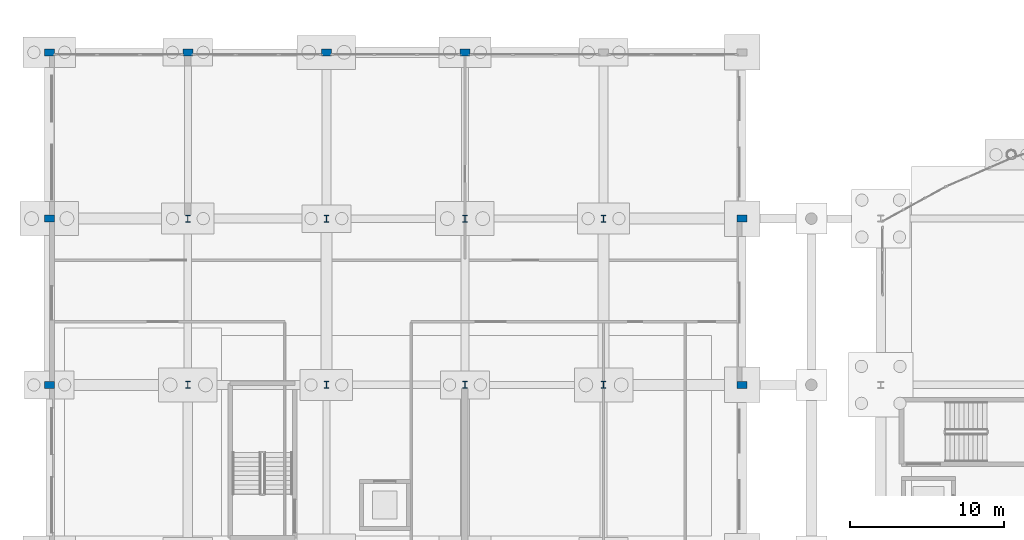
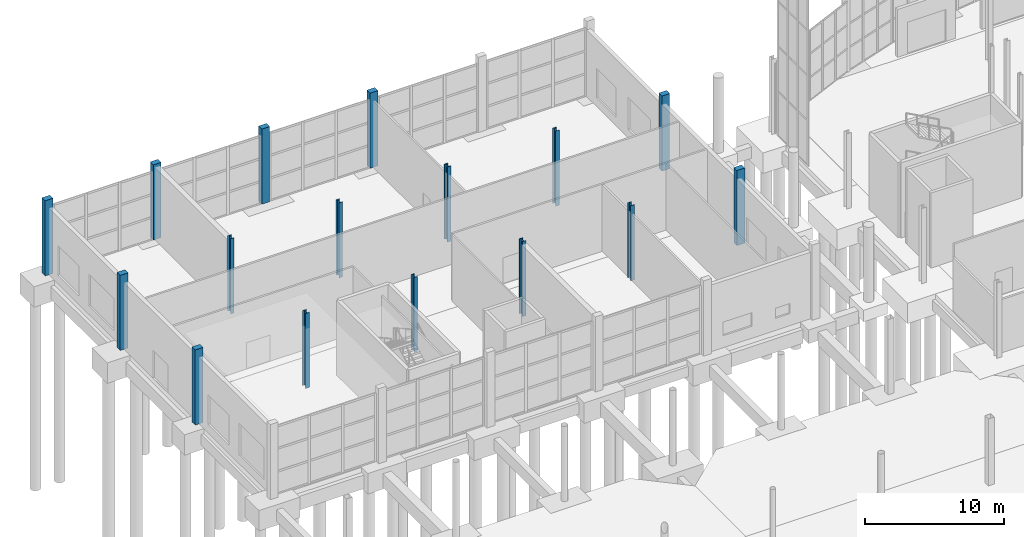
# One storey, part 19 of 115: 16 columns.
"""IFC4 building model written with IfcOpenShell, lengths in metres."""

import ifcopenshell
import ifcopenshell.guid

model = None  # the IFC model being written
_history = None  # IfcOwnerHistory: only IFC2X3 demands one
_inside = {}  # id of a spatial element -> (the spatial element, [elements in it])
_under = {}  # id of a project, library or spatial element -> (it, [spatial elements below it])
_declared = {}  # id of a project -> (the project, [libraries it declares])
_typed = {}  # id of a type object -> (the type object, [elements of that type])
_made_of = {}  # id of a material, layer set ... -> (it, [elements and type objects made of it])


def new_model(schema):
    """Start an empty IFC model of exactly this schema.

    Asked for "IFC4X3", IfcOpenShell would pick the latest addendum, in which some entities
    have other attributes; the version numbers below select the first issue.
    IFC2X3 requires an IfcOwnerHistory on every rooted entity: one is made here for all.
    """
    global model, _history
    if schema == "IFC4X3":
        model = ifcopenshell.file(schema_version=(4, 3, 0, 0))
    else:
        model = ifcopenshell.file(schema=schema)
    _inside.clear()
    _under.clear()
    _declared.clear()
    _typed.clear()
    _made_of.clear()
    _history = None
    if model.schema == "IFC2X3":
        org = make("IfcOrganization", Name="unknown")
        user = make(
            "IfcPersonAndOrganization",
            ThePerson=make("IfcPerson", FamilyName="unknown"),
            TheOrganization=org,
        )
        app = make(
            "IfcApplication",
            ApplicationDeveloper=org,
            Version="unknown",
            ApplicationFullName="unknown",
            ApplicationIdentifier="unknown",
        )
        _history = make(
            "IfcOwnerHistory",
            OwningUser=user,
            OwningApplication=app,
            ChangeAction="ADDED",
            CreationDate=0,
        )
    return model


def make(cls, **values):
    """One entity of the class cls with the attributes given. An attribute that is None is left unset."""
    return model.create_entity(
        cls, **{name: value for name, value in values.items() if value is not None}
    )


def rooted(cls, **values):
    """An entity with a GlobalId (a new one), such as an element, a storey or a relation."""
    return make(cls, GlobalId=ifcopenshell.guid.new(), OwnerHistory=_history, **values)


def si_unit(unit_type, name, prefix=None):
    """IfcSIUnit, for example si_unit("LENGTHUNIT", "METRE", prefix="MILLI")."""
    return make("IfcSIUnit", UnitType=unit_type, Prefix=prefix, Name=name)


def assignment(units):
    """IfcUnitAssignment: the units of a project."""
    return None if units is None else make("IfcUnitAssignment", Units=units)


def point(xyz):
    """IfcCartesianPoint."""
    return None if xyz is None else make("IfcCartesianPoint", Coordinates=xyz)


def direction(xyz):
    """IfcDirection."""
    return None if xyz is None else make("IfcDirection", DirectionRatios=xyz)


def frame(location, z_axis=None, x_axis=None):
    """IfcAxis2Placement3D, a coordinate frame: its origin and axes. An axis left out is left unset."""
    return make(
        "IfcAxis2Placement3D",
        Location=point(location),
        Axis=direction(z_axis),
        RefDirection=direction(x_axis),
    )


def frame_2d(location, x_axis=None):
    """IfcAxis2Placement2D, a coordinate frame in the plane: its origin and x axis."""
    return make(
        "IfcAxis2Placement2D", Location=point(location), RefDirection=direction(x_axis)
    )


def origin():
    """The frame at (0, 0, 0) with its axes left unset."""
    return frame((0.0, 0.0, 0.0))


def origin_2d():
    """The frame at (0, 0) in the plane with its x axis left unset."""
    return frame_2d((0.0, 0.0))


def place(relative_to, where):
    """IfcLocalPlacement: puts the frame where relative to a parent placement (None: the world)."""
    return make(
        "IfcLocalPlacement", PlacementRelTo=relative_to, RelativePlacement=where
    )


def context(
    kind, dimensions, precision=None, world=None, true_north=None, identifier=None
):
    """IfcGeometricRepresentationContext, for example the 3D "Model" context."""
    return make(
        "IfcGeometricRepresentationContext",
        ContextIdentifier=identifier,
        ContextType=kind,
        CoordinateSpaceDimension=dimensions,
        Precision=precision,
        WorldCoordinateSystem=world,
        TrueNorth=true_north,
    )


def subcontext(parent, identifier, kind, view, scale=None):
    """IfcGeometricRepresentationSubContext, for example "Body" below "Model"."""
    return make(
        "IfcGeometricRepresentationSubContext",
        ContextIdentifier=identifier,
        ContextType=kind,
        ParentContext=parent,
        TargetScale=scale,
        TargetView=view,
    )


def project(units=None, contexts=None):
    """IfcProject with its units and contexts."""
    return rooted(
        "IfcProject",
        Name="project",
        RepresentationContexts=contexts,
        UnitsInContext=assignment(units),
    )


def spatial(cls, under=None, at=None, **own):
    """A site, building, storey or space (cls), placed at a placement, below another one or the project."""
    s = rooted(cls, ObjectPlacement=at, **own)
    if under is not None:
        _under.setdefault(under.id(), (under, []))[1].append(s)
    return s


def profile(cls, at=None, kind="AREA", **sizes):
    """A parametric profile (cls). Its sizes go by their IFC names, for example OverallWidth=200.0."""
    return make(cls, ProfileType=kind, Position=at, **sizes)


def rectangle(**sizes):
    """IfcRectangleProfileDef."""
    return profile("IfcRectangleProfileDef", **sizes)


def i_section(**sizes):
    """IfcIShapeProfileDef."""
    return profile("IfcIShapeProfileDef", **sizes)


def extrude(swept, where, along, depth):
    """IfcExtrudedAreaSolid: the profile swept, set in the frame where, extruded along a direction by depth."""
    return make(
        "IfcExtrudedAreaSolid",
        SweptArea=swept,
        Position=where,
        ExtrudedDirection=direction(along),
        Depth=depth,
    )


def shape(context_of_items, identifier, shape_type, items):
    """IfcShapeRepresentation: the items that make up one representation, for example the "Body"."""
    return make(
        "IfcShapeRepresentation",
        ContextOfItems=context_of_items,
        RepresentationIdentifier=identifier,
        RepresentationType=shape_type,
        Items=items,
    )


def material(Name=None, Category=None):
    """IfcMaterial."""
    return make("IfcMaterial", Name=Name, Category=Category)


def material_profile(
    of_material, cross_section, Name=None, Category=None, Priority=None
):
    """IfcMaterialProfile: a cross section and its material."""
    return make(
        "IfcMaterialProfile",
        Name=Name,
        Material=of_material,
        Profile=cross_section,
        Priority=Priority,
        Category=Category,
    )


def profile_set(profiles, Name=None, composite=None):
    """IfcMaterialProfileSet."""
    return make(
        "IfcMaterialProfileSet",
        Name=Name,
        MaterialProfiles=profiles,
        CompositeProfile=composite,
    )


def made_of(thing, what):
    """Note that an element or type object is made of a material, layer set ...; save() writes the relation."""
    if what is not None:
        _made_of.setdefault(what.id(), (what, []))[1].append(thing)
    return thing


def type_object(cls, material=None, **own):
    """A type object (cls), such as IfcWallType, which elements share."""
    return made_of(rooted(cls, **own), material)


def element(
    cls,
    number,
    at=None,
    inside=None,
    cuts=None,
    type_object=None,
    material=None,
    context=None,
    identifier="Body",
    shape_type=None,
    held_by="IfcProductDefinitionShape",
    body=None,
    shapes=None,
    **own,
):
    """One element of the class cls, such as IfcWall. Its Tag is "e" and its number.

    at: its placement. inside: the storey or other place that contains it. cuts: it is an
    opening in that element (IfcRelVoidsElement). A single representation is given by context,
    identifier, shape_type and body (its items); several are given by shapes. held_by: the class
    of the entity that holds the representations. save() writes the other relations.
    """
    e = rooted(cls, Tag="e%d" % number, ObjectPlacement=at, **own)
    if body is not None:
        shapes = [shape(context, identifier, shape_type, body)]
    if shapes is not None:
        e.Representation = make(held_by, Representations=shapes)
    if inside is not None:
        _inside.setdefault(inside.id(), (inside, []))[1].append(e)
    if cuts is not None:
        rooted(
            "IfcRelVoidsElement", RelatingBuildingElement=cuts, RelatedOpeningElement=e
        )
    if type_object is not None:
        _typed.setdefault(type_object.id(), (type_object, []))[1].append(e)
    return made_of(e, material)


def aggregate(whole, parts):
    """IfcRelAggregates: a whole, such as a stair, and the parts it consists of."""
    return rooted("IfcRelAggregates", RelatingObject=whole, RelatedObjects=parts)


def save(model, path):
    """Write the relations noted so far, then the file.

    IfcRelAggregates (storeys below a building ...), IfcRelContainedInSpatialStructure (elements
    in a storey), IfcRelDefinesByType, IfcRelAssociatesMaterial and IfcRelDeclares: one each for
    every whole, place, type object, material and project.
    """
    for whole, parts in _under.values():
        aggregate(whole, parts)
    for where, things in _inside.values():
        rooted(
            "IfcRelContainedInSpatialStructure",
            RelatedElements=things,
            RelatingStructure=where,
        )
    for kind, things in _typed.values():
        rooted("IfcRelDefinesByType", RelatedObjects=things, RelatingType=kind)
    for what, things in _made_of.values():
        rooted("IfcRelAssociatesMaterial", RelatedObjects=things, RelatingMaterial=what)
    for by, libraries in _declared.values():
        rooted("IfcRelDeclares", RelatingContext=by, RelatedDefinitions=libraries)
    model.write(path)


model = new_model("IFC4")

# Units and contexts
model_context = context("Model", 3, precision=1e-05, world=origin(), true_north=direction((0.0, 1.0)))
body_context = subcontext(model_context, "Body", "Model", "MODEL_VIEW")
ifc_project = project(units=[si_unit("LENGTHUNIT", "METRE"), si_unit("AREAUNIT", "SQUARE_METRE"), si_unit("VOLUMEUNIT", "CUBIC_METRE"), si_unit("PLANEANGLEUNIT", "RADIAN"), si_unit("MASSUNIT", "GRAM", prefix="KILO")], contexts=[model_context])

# Site, building, storey
site_placement = place(None, origin())
site = spatial("IfcSite", under=ifc_project, at=site_placement, CompositionType="ELEMENT")
building_placement = place(site_placement, origin())
building = spatial("IfcBuilding", under=site, at=building_placement, Name="Tamarisk Ironworks Central Station", CompositionType="ELEMENT")
storey_placement = place(building_placement, origin())
storey = spatial("IfcBuildingStorey", under=building, at=storey_placement, Name="L00", CompositionType="ELEMENT", Elevation=0.0)

# Columns
ifc_material_1 = material(Name="Clay facing brickwork and mortar", Category="masonry")
ifc_material_profile_1 = material_profile(ifc_material_1, rectangle(XDim=0.64990234375, YDim=0.449951171875, at=origin_2d()), Name="PIL 650x450")
ifc_profile_set_1 = profile_set([ifc_material_profile_1], Name="Clay facing brickwork and mortar")
column_type_1 = type_object("IfcColumnType", Name="COL-PIL01", PredefinedType="PILASTER", material=ifc_profile_set_1)
for number, where, z_axis, x_axis, name in (
    (1, (0.0, 100.800048828125, 0.0), (0.0, 0.0, 1.0), (1.0, 0.0, 0.0), "L00 column V4-01J"),
    (2, (0.0, 111.60009765625, 0.0), (0.0, 0.0, 1.0), (1.0, 0.0, 0.0), "L00 column V4-01L"),
    (3, (0.0, 122.39990234375, 0.0), (0.0, 0.0, 1.0), (1.0, 0.0, 0.0), "L00 column V4-01N"),
    (4, (9.0, 122.39990234375, 0.0), (0.0, 0.0, 1.0), (1.0, 0.0, 0.0), "L00 column V4-02N"),
    (5, (18.0, 122.39990234375, 0.0), (0.0, 0.0, 1.0), (1.0, 0.0, 0.0), "L00 column V4-03N"),
    (6, (27.0, 122.39990234375, 0.0), (0.0, 0.0, 1.0), (1.0, 0.0, 0.0), "L00 column V4-04N"),
    (7, (45.0, 100.800048828125, 0.0), (0.0, 0.0, 1.0), (1.0, 0.0, 0.0), "L00 column V4-06J"),
    (8, (45.0, 111.60009765625, 0.0), (0.0, 0.0, 1.0), (1.0, 0.0, 0.0), "L00 column V4-06L"),
):
    element("IfcColumn", number, at=place(storey_placement, frame(where, z_axis=z_axis, x_axis=x_axis)), inside=storey, type_object=column_type_1, Name=name, PredefinedType="PILASTER", context=body_context, shape_type="SweptSolid", body=[
        extrude(rectangle(XDim=0.64990234375, YDim=0.449951171875, at=origin_2d()), origin(), (0.0, 0.0, 1.0), 6.60009765625),
    ])
ifc_material_2 = material(Name="Structural steel S355J2", Category="steel")
ifc_material_profile_2 = material_profile(ifc_material_2, i_section(OverallWidth=0.300048828125, OverallDepth=0.449951171875, WebThickness=0.013916015625, FlangeThickness=0.02587890625, at=origin_2d()), Name="HEB 450")
ifc_profile_set_2 = profile_set([ifc_material_profile_2], Name="Structural steel S355J2")
column_type_2 = type_object("IfcColumnType", Name="COL-S08", PredefinedType="COLUMN", material=ifc_profile_set_2)
for number, where, z_axis, x_axis, name in (
    (9, (9.0, 100.800048828125, 0.0), (0.0, 0.0, 1.0), (1.0, 0.0, 0.0), "L00 column V4-02J"),
    (10, (9.0, 111.60009765625, 0.0), (0.0, 0.0, 1.0), (1.0, 0.0, 0.0), "L00 column V4-02L"),
    (11, (18.0, 100.800048828125, 0.0), (0.0, 0.0, 1.0), (1.0, 0.0, 0.0), "L00 column V4-03J"),
    (12, (18.0, 111.60009765625, 0.0), (0.0, 0.0, 1.0), (1.0, 0.0, 0.0), "L00 column V4-03L"),
    (13, (27.0, 100.800048828125, 0.0), (0.0, 0.0, 1.0), (1.0, 0.0, 0.0), "L00 column V4-04J"),
    (14, (27.0, 111.60009765625, 0.0), (0.0, 0.0, 1.0), (1.0, 0.0, 0.0), "L00 column V4-04L"),
    (15, (36.0, 100.800048828125, 0.0), (0.0, 0.0, 1.0), (1.0, 0.0, 0.0), "L00 column V4-05J"),
    (16, (36.0, 111.60009765625, 0.0), (0.0, 0.0, 1.0), (1.0, 0.0, 0.0), "L00 column V4-05L"),
):
    element("IfcColumn", number, at=place(storey_placement, frame(where, z_axis=z_axis, x_axis=x_axis)), inside=storey, type_object=column_type_2, Name=name, PredefinedType="COLUMN", context=body_context, shape_type="SweptSolid", body=[
        extrude(i_section(OverallWidth=0.300048828125, OverallDepth=0.449951171875, WebThickness=0.013916015625, FlangeThickness=0.02587890625, at=origin_2d()), origin(), (0.0, 0.0, 1.0), 6.60009765625),
    ])

save(model, "model.ifc")
